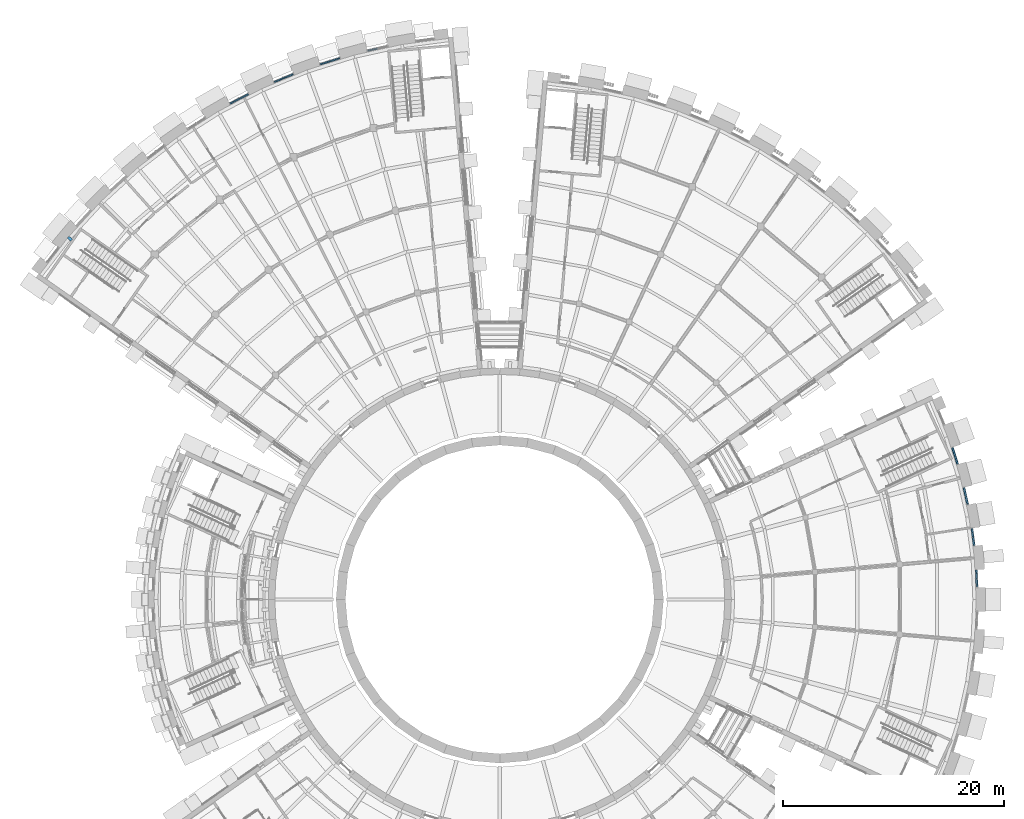
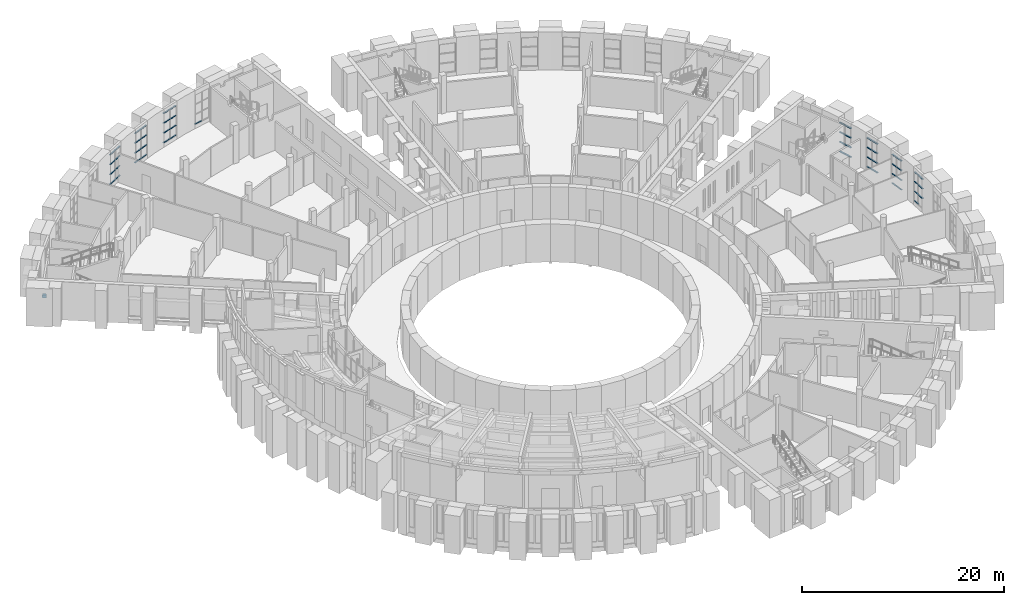
# One storey, part 27 of 66: 56 members, 1 beam, 8 elements without a shape of their own.
"""IFC4 building model written with IfcOpenShell, lengths in metres."""

from ifc_helpers import new_model, si_unit, direction, frame, origin, origin_2d, place, context, subcontext, project, spatial, rectangle, extrude, material, layer, layer_set, material_profile, profile_set, type_object, element, aggregate, save


model = new_model("IFC4")

# Units and contexts
model_context = context("Model", 3, precision=1e-05, world=origin(), true_north=direction((0.0, 1.0)))
body_context = subcontext(model_context, "Body", "Model", "MODEL_VIEW")
ifc_project = project(units=[si_unit("LENGTHUNIT", "METRE"), si_unit("AREAUNIT", "SQUARE_METRE"), si_unit("VOLUMEUNIT", "CUBIC_METRE"), si_unit("PLANEANGLEUNIT", "RADIAN"), si_unit("MASSUNIT", "GRAM", prefix="KILO")], contexts=[model_context])

# Site, building, storey
site_placement = place(None, origin())
site = spatial("IfcSite", under=ifc_project, at=site_placement, CompositionType="ELEMENT")
building_placement = place(site_placement, origin())
building = spatial("IfcBuilding", under=site, at=building_placement, Name="Volute Hill Aquarium", CompositionType="ELEMENT")
storey_placement = place(building_placement, frame((0.0, 0.0, 4.60009765625)))
storey = spatial("IfcBuildingStorey", under=building, at=storey_placement, Name="L02", CompositionType="ELEMENT", Elevation=4.60009765625)

# Curtain wall, members
ifc_material_1 = material(Name="Aluminium", Category="aluminium")
ifc_layer_1 = layer(ifc_material_1, 0.25)
ifc_layer_set_1 = layer_set([ifc_layer_1], Name="Curtain wall niche S4 module 819")
curtain_wall_type_1 = type_object("IfcCurtainWallType", Name="Curtain wall niche S4 module 819", PredefinedType="NOTDEFINED", material=ifc_layer_set_1)
curtain_wall_1_placement = place(storey_placement, origin())
curtain_wall_1 = element("IfcCurtainWall", 1, at=curtain_wall_1_placement, inside=storey, type_object=curtain_wall_type_1, Name="Curtain wall CW S4 L02 6", PredefinedType="NOTDEFINED")
ifc_material_2 = material(Name="Aluminium", Category="aluminium")
ifc_material_profile_1 = material_profile(ifc_material_2, rectangle(XDim=0.14990234375, YDim=0.06005859375, at=origin_2d()), Name="Curtain wall transom S4 60x150")
ifc_profile_set_1 = profile_set([ifc_material_profile_1], Name="Aluminium")
member_type_1 = type_object("IfcMemberType", Name="Curtain wall transom S4 60x150", PredefinedType="USERDEFINED", material=ifc_profile_set_1)
member_1_placement = place(storey_placement, frame((43.275390625, 1.130126953125, 1.63330078125), z_axis=(-0.04355353531, 0.99905109457, 0.0), x_axis=(-0.99905109457, -0.04355353531, 0.0)))
member_1 = element("IfcMember", 2, at=member_1_placement, type_object=member_type_1, Name="CW transom 1.2", ObjectType="TRANSOM", PredefinedType="USERDEFINED", context=body_context, shape_type="SweptSolid", body=[
    extrude(rectangle(XDim=0.14990234375, YDim=0.06005859375, at=origin_2d()), origin(), (0.0, 0.0, 1.0), 0.728759765625),
])
member_2_placement = place(storey_placement, frame((43.275390625, 1.130126953125, 2.816650390625), z_axis=(-0.04355353531, 0.99905109457, 0.0), x_axis=(-0.99905109457, -0.04355353531, 0.0)))
member_2 = element("IfcMember", 3, at=member_2_placement, type_object=member_type_1, Name="CW transom 1.3", ObjectType="TRANSOM", PredefinedType="USERDEFINED", context=body_context, shape_type="SweptSolid", body=[
    extrude(rectangle(XDim=0.14990234375, YDim=0.06005859375, at=origin_2d()), origin(), (0.0, 0.0, 1.0), 0.728759765625),
])
member_3_placement = place(storey_placement, frame((43.275390625, 1.130126953125, 3.969970703125), z_axis=(-0.04355353531, 0.99905109457, 0.0), x_axis=(-0.99905109457, -0.04355353531, 0.0)))
member_3 = element("IfcMember", 4, at=member_3_placement, type_object=member_type_1, Name="CW transom 1.4", ObjectType="TRANSOM", PredefinedType="USERDEFINED", context=body_context, shape_type="SweptSolid", body=[
    extrude(rectangle(XDim=0.14990234375, YDim=0.06005859375, at=origin_2d()), origin(), (0.0, 0.0, 1.0), 0.728759765625),
])
member_4_placement = place(storey_placement, frame((43.240966796875, 1.91796875, 0.47998046875), z_axis=(-0.04355353531, 0.99905109457, 0.0), x_axis=(-0.99905109457, -0.04355353531, 0.0)))
member_4 = element("IfcMember", 5, at=member_4_placement, type_object=member_type_1, Name="CW transom 2.1", ObjectType="TRANSOM", PredefinedType="USERDEFINED", context=body_context, shape_type="SweptSolid", body=[
    extrude(rectangle(XDim=0.14990234375, YDim=0.06005859375, at=origin_2d()), origin(), (0.0, 0.0, 1.0), 0.728759765625),
])
member_5_placement = place(storey_placement, frame((43.240966796875, 1.91796875, 1.63330078125), z_axis=(-0.04355353531, 0.99905109457, 0.0), x_axis=(-0.99905109457, -0.04355353531, 0.0)))
member_5 = element("IfcMember", 6, at=member_5_placement, type_object=member_type_1, Name="CW transom 2.2", ObjectType="TRANSOM", PredefinedType="USERDEFINED", context=body_context, shape_type="SweptSolid", body=[
    extrude(rectangle(XDim=0.14990234375, YDim=0.06005859375, at=origin_2d()), origin(), (0.0, 0.0, 1.0), 0.728759765625),
])
member_6_placement = place(storey_placement, frame((43.240966796875, 1.91796875, 2.816650390625), z_axis=(-0.04355353531, 0.99905109457, 0.0), x_axis=(-0.99905109457, -0.04355353531, 0.0)))
member_6 = element("IfcMember", 7, at=member_6_placement, type_object=member_type_1, Name="CW transom 2.3", ObjectType="TRANSOM", PredefinedType="USERDEFINED", context=body_context, shape_type="SweptSolid", body=[
    extrude(rectangle(XDim=0.14990234375, YDim=0.06005859375, at=origin_2d()), origin(), (0.0, 0.0, 1.0), 0.728759765625),
])
member_7_placement = place(storey_placement, frame((43.240966796875, 1.91796875, 3.969970703125), z_axis=(-0.04355353531, 0.99905109457, 0.0), x_axis=(-0.99905109457, -0.04355353531, 0.0)))
member_7 = element("IfcMember", 8, at=member_7_placement, type_object=member_type_1, Name="CW transom 2.4", ObjectType="TRANSOM", PredefinedType="USERDEFINED", context=body_context, shape_type="SweptSolid", body=[
    extrude(rectangle(XDim=0.14990234375, YDim=0.06005859375, at=origin_2d()), origin(), (0.0, 0.0, 1.0), 0.728759765625),
])
aggregate(curtain_wall_1, [member_1, member_2, member_3, member_4, member_5, member_6, member_7])

curtain_wall_2_placement = place(storey_placement, origin())
curtain_wall_2 = element("IfcCurtainWall", 9, at=curtain_wall_2_placement, inside=storey, type_object=curtain_wall_type_1, Name="Curtain wall CW S4 L02 7", PredefinedType="NOTDEFINED")
member_8_placement = place(storey_placement, frame((43.01220703125, 4.8974609375, 0.47998046875), z_axis=(-0.130671188566, 0.991425761456, 0.0), x_axis=(-0.991425761456, -0.130671188566, 0.0)))
member_8 = element("IfcMember", 10, at=member_8_placement, type_object=member_type_1, Name="CW transom 1.1", ObjectType="TRANSOM", PredefinedType="USERDEFINED", context=body_context, shape_type="SweptSolid", body=[
    extrude(rectangle(XDim=0.14990234375, YDim=0.06005859375, at=origin_2d()), origin(), (0.0, 0.0, 1.0), 0.728759765625),
])
member_9_placement = place(storey_placement, frame((43.01220703125, 4.8974609375, 1.63330078125), z_axis=(-0.130671188566, 0.991425761456, 0.0), x_axis=(-0.991425761456, -0.130671188566, 0.0)))
member_9 = element("IfcMember", 11, at=member_9_placement, type_object=member_type_1, Name="CW transom 1.2", ObjectType="TRANSOM", PredefinedType="USERDEFINED", context=body_context, shape_type="SweptSolid", body=[
    extrude(rectangle(XDim=0.14990234375, YDim=0.06005859375, at=origin_2d()), origin(), (0.0, 0.0, 1.0), 0.728759765625),
])
member_10_placement = place(storey_placement, frame((43.01220703125, 4.8974609375, 2.816650390625), z_axis=(-0.130671188566, 0.991425761456, 0.0), x_axis=(-0.991425761456, -0.130671188566, 0.0)))
member_10 = element("IfcMember", 12, at=member_10_placement, type_object=member_type_1, Name="CW transom 1.3", ObjectType="TRANSOM", PredefinedType="USERDEFINED", context=body_context, shape_type="SweptSolid", body=[
    extrude(rectangle(XDim=0.14990234375, YDim=0.06005859375, at=origin_2d()), origin(), (0.0, 0.0, 1.0), 0.728759765625),
])
member_11_placement = place(storey_placement, frame((43.01220703125, 4.8974609375, 3.969970703125), z_axis=(-0.130671188566, 0.991425761456, 0.0), x_axis=(-0.991425761456, -0.130671188566, 0.0)))
member_11 = element("IfcMember", 13, at=member_11_placement, type_object=member_type_1, Name="CW transom 1.4", ObjectType="TRANSOM", PredefinedType="USERDEFINED", context=body_context, shape_type="SweptSolid", body=[
    extrude(rectangle(XDim=0.14990234375, YDim=0.06005859375, at=origin_2d()), origin(), (0.0, 0.0, 1.0), 0.728759765625),
])
member_12_placement = place(storey_placement, frame((42.9091796875, 5.679443359375, 0.47998046875), z_axis=(-0.130341833664, 0.991469115201, 0.0), x_axis=(-0.991469115201, -0.130341833664, 0.0)))
member_12 = element("IfcMember", 14, at=member_12_placement, type_object=member_type_1, Name="CW transom 2.1", ObjectType="TRANSOM", PredefinedType="USERDEFINED", context=body_context, shape_type="SweptSolid", body=[
    extrude(rectangle(XDim=0.14990234375, YDim=0.06005859375, at=origin_2d()), origin(), (0.0, 0.0, 1.0), 0.728515625),
])
member_13_placement = place(storey_placement, frame((42.9091796875, 5.679443359375, 1.63330078125), z_axis=(-0.130341833664, 0.991469115201, 0.0), x_axis=(-0.991469115201, -0.130341833664, 0.0)))
member_13 = element("IfcMember", 15, at=member_13_placement, type_object=member_type_1, Name="CW transom 2.2", ObjectType="TRANSOM", PredefinedType="USERDEFINED", context=body_context, shape_type="SweptSolid", body=[
    extrude(rectangle(XDim=0.14990234375, YDim=0.06005859375, at=origin_2d()), origin(), (0.0, 0.0, 1.0), 0.728515625),
])
member_14_placement = place(storey_placement, frame((42.9091796875, 5.679443359375, 2.816650390625), z_axis=(-0.130341833664, 0.991469115201, 0.0), x_axis=(-0.991469115201, -0.130341833664, 0.0)))
member_14 = element("IfcMember", 16, at=member_14_placement, type_object=member_type_1, Name="CW transom 2.3", ObjectType="TRANSOM", PredefinedType="USERDEFINED", context=body_context, shape_type="SweptSolid", body=[
    extrude(rectangle(XDim=0.14990234375, YDim=0.06005859375, at=origin_2d()), origin(), (0.0, 0.0, 1.0), 0.728515625),
])
member_15_placement = place(storey_placement, frame((42.9091796875, 5.679443359375, 3.969970703125), z_axis=(-0.130341833664, 0.991469115201, 0.0), x_axis=(-0.991469115201, -0.130341833664, 0.0)))
member_15 = element("IfcMember", 17, at=member_15_placement, type_object=member_type_1, Name="CW transom 2.4", ObjectType="TRANSOM", PredefinedType="USERDEFINED", context=body_context, shape_type="SweptSolid", body=[
    extrude(rectangle(XDim=0.14990234375, YDim=0.06005859375, at=origin_2d()), origin(), (0.0, 0.0, 1.0), 0.728515625),
])
aggregate(curtain_wall_2, [member_8, member_9, member_10, member_11, member_12, member_13, member_14, member_15])

curtain_wall_3_placement = place(storey_placement, origin())
curtain_wall_3 = element("IfcCurtainWall", 18, at=curtain_wall_3_placement, inside=storey, type_object=curtain_wall_type_1, Name="Curtain wall CW S4 L02 8", PredefinedType="NOTDEFINED")
member_16_placement = place(storey_placement, frame((42.421630859375, 8.62744140625, 0.47998046875), z_axis=(-0.216433786926, 0.976297298919, 0.0), x_axis=(-0.976297298919, -0.216433786926, 0.0)))
member_16 = element("IfcMember", 19, at=member_16_placement, type_object=member_type_1, Name="CW transom 1.1", ObjectType="TRANSOM", PredefinedType="USERDEFINED", context=body_context, shape_type="SweptSolid", body=[
    extrude(rectangle(XDim=0.14990234375, YDim=0.06005859375, at=origin_2d()), origin(), (0.0, 0.0, 1.0), 0.728759765625),
])
member_17_placement = place(storey_placement, frame((42.421630859375, 8.62744140625, 1.63330078125), z_axis=(-0.216433786926, 0.976297298919, 0.0), x_axis=(-0.976297298919, -0.216433786926, 0.0)))
member_17 = element("IfcMember", 20, at=member_17_placement, type_object=member_type_1, Name="CW transom 1.2", ObjectType="TRANSOM", PredefinedType="USERDEFINED", context=body_context, shape_type="SweptSolid", body=[
    extrude(rectangle(XDim=0.14990234375, YDim=0.06005859375, at=origin_2d()), origin(), (0.0, 0.0, 1.0), 0.728759765625),
])
member_18_placement = place(storey_placement, frame((42.421630859375, 8.62744140625, 2.816650390625), z_axis=(-0.216433786926, 0.976297298919, 0.0), x_axis=(-0.976297298919, -0.216433786926, 0.0)))
member_18 = element("IfcMember", 21, at=member_18_placement, type_object=member_type_1, Name="CW transom 1.3", ObjectType="TRANSOM", PredefinedType="USERDEFINED", context=body_context, shape_type="SweptSolid", body=[
    extrude(rectangle(XDim=0.14990234375, YDim=0.06005859375, at=origin_2d()), origin(), (0.0, 0.0, 1.0), 0.728759765625),
])
member_19_placement = place(storey_placement, frame((42.421630859375, 8.62744140625, 3.969970703125), z_axis=(-0.216433786926, 0.976297298919, 0.0), x_axis=(-0.976297298919, -0.216433786926, 0.0)))
member_19 = element("IfcMember", 22, at=member_19_placement, type_object=member_type_1, Name="CW transom 1.4", ObjectType="TRANSOM", PredefinedType="USERDEFINED", context=body_context, shape_type="SweptSolid", body=[
    extrude(rectangle(XDim=0.14990234375, YDim=0.06005859375, at=origin_2d()), origin(), (0.0, 0.0, 1.0), 0.728759765625),
])
member_20_placement = place(storey_placement, frame((42.2509765625, 9.3974609375, 0.47998046875), z_axis=(-0.216433786926, 0.976297298919, 0.0), x_axis=(-0.976297298919, -0.216433786926, 0.0)))
member_20 = element("IfcMember", 23, at=member_20_placement, type_object=member_type_1, Name="CW transom 2.1", ObjectType="TRANSOM", PredefinedType="USERDEFINED", context=body_context, shape_type="SweptSolid", body=[
    extrude(rectangle(XDim=0.14990234375, YDim=0.06005859375, at=origin_2d()), origin(), (0.0, 0.0, 1.0), 0.728759765625),
])
member_21_placement = place(storey_placement, frame((42.2509765625, 9.3974609375, 1.63330078125), z_axis=(-0.216433786926, 0.976297298919, 0.0), x_axis=(-0.976297298919, -0.216433786926, 0.0)))
member_21 = element("IfcMember", 24, at=member_21_placement, type_object=member_type_1, Name="CW transom 2.2", ObjectType="TRANSOM", PredefinedType="USERDEFINED", context=body_context, shape_type="SweptSolid", body=[
    extrude(rectangle(XDim=0.14990234375, YDim=0.06005859375, at=origin_2d()), origin(), (0.0, 0.0, 1.0), 0.728759765625),
])
member_22_placement = place(storey_placement, frame((42.2509765625, 9.3974609375, 2.816650390625), z_axis=(-0.216433786926, 0.976297298919, 0.0), x_axis=(-0.976297298919, -0.216433786926, 0.0)))
member_22 = element("IfcMember", 25, at=member_22_placement, type_object=member_type_1, Name="CW transom 2.3", ObjectType="TRANSOM", PredefinedType="USERDEFINED", context=body_context, shape_type="SweptSolid", body=[
    extrude(rectangle(XDim=0.14990234375, YDim=0.06005859375, at=origin_2d()), origin(), (0.0, 0.0, 1.0), 0.728759765625),
])
member_23_placement = place(storey_placement, frame((42.2509765625, 9.3974609375, 3.969970703125), z_axis=(-0.216433786926, 0.976297298919, 0.0), x_axis=(-0.976297298919, -0.216433786926, 0.0)))
member_23 = element("IfcMember", 26, at=member_23_placement, type_object=member_type_1, Name="CW transom 2.4", ObjectType="TRANSOM", PredefinedType="USERDEFINED", context=body_context, shape_type="SweptSolid", body=[
    extrude(rectangle(XDim=0.14990234375, YDim=0.06005859375, at=origin_2d()), origin(), (0.0, 0.0, 1.0), 0.728759765625),
])
aggregate(curtain_wall_3, [member_16, member_17, member_18, member_19, member_20, member_21, member_22, member_23])

curtain_wall_4_placement = place(storey_placement, origin())
curtain_wall_4 = element("IfcCurtainWall", 27, at=curtain_wall_4_placement, inside=storey, type_object=curtain_wall_type_1, Name="Curtain wall CW S4 L02 9", PredefinedType="NOTDEFINED")
member_24_placement = place(storey_placement, frame((41.50830078125, 12.2919921875, 0.47998046875), z_axis=(-0.300506003221, 0.953779923267, 0.0), x_axis=(-0.953779923267, -0.300506003221, 0.0)))
member_24 = element("IfcMember", 28, at=member_24_placement, type_object=member_type_1, Name="CW transom 1.1", ObjectType="TRANSOM", PredefinedType="USERDEFINED", context=body_context, shape_type="SweptSolid", body=[
    extrude(rectangle(XDim=0.14990234375, YDim=0.06005859375, at=origin_2d()), origin(), (0.0, 0.0, 1.0), 0.728759765625),
])
member_25_placement = place(storey_placement, frame((41.50830078125, 12.2919921875, 1.63330078125), z_axis=(-0.300506003221, 0.953779923267, 0.0), x_axis=(-0.953779923267, -0.300506003221, 0.0)))
member_25 = element("IfcMember", 29, at=member_25_placement, type_object=member_type_1, Name="CW transom 1.2", ObjectType="TRANSOM", PredefinedType="USERDEFINED", context=body_context, shape_type="SweptSolid", body=[
    extrude(rectangle(XDim=0.14990234375, YDim=0.06005859375, at=origin_2d()), origin(), (0.0, 0.0, 1.0), 0.728759765625),
])
member_26_placement = place(storey_placement, frame((41.50830078125, 12.2919921875, 2.816650390625), z_axis=(-0.300506003221, 0.953779923267, 0.0), x_axis=(-0.953779923267, -0.300506003221, 0.0)))
member_26 = element("IfcMember", 30, at=member_26_placement, type_object=member_type_1, Name="CW transom 1.3", ObjectType="TRANSOM", PredefinedType="USERDEFINED", context=body_context, shape_type="SweptSolid", body=[
    extrude(rectangle(XDim=0.14990234375, YDim=0.06005859375, at=origin_2d()), origin(), (0.0, 0.0, 1.0), 0.728759765625),
])
member_27_placement = place(storey_placement, frame((41.50830078125, 12.2919921875, 3.969970703125), z_axis=(-0.300506003221, 0.953779923267, 0.0), x_axis=(-0.953779923267, -0.300506003221, 0.0)))
member_27 = element("IfcMember", 31, at=member_27_placement, type_object=member_type_1, Name="CW transom 1.4", ObjectType="TRANSOM", PredefinedType="USERDEFINED", context=body_context, shape_type="SweptSolid", body=[
    extrude(rectangle(XDim=0.14990234375, YDim=0.06005859375, at=origin_2d()), origin(), (0.0, 0.0, 1.0), 0.728759765625),
])
member_28_placement = place(storey_placement, frame((41.271240234375, 13.044189453125, 0.47998046875), z_axis=(-0.300810716557, 0.953683864184, 0.0), x_axis=(-0.953683864184, -0.300810716557, 0.0)))
member_28 = element("IfcMember", 32, at=member_28_placement, type_object=member_type_1, Name="CW transom 2.1", ObjectType="TRANSOM", PredefinedType="USERDEFINED", context=body_context, shape_type="SweptSolid", body=[
    extrude(rectangle(XDim=0.14990234375, YDim=0.06005859375, at=origin_2d()), origin(), (0.0, 0.0, 1.0), 0.728759765625),
])
member_29_placement = place(storey_placement, frame((41.271240234375, 13.044189453125, 1.63330078125), z_axis=(-0.300810716557, 0.953683864184, 0.0), x_axis=(-0.953683864184, -0.300810716557, 0.0)))
member_29 = element("IfcMember", 33, at=member_29_placement, type_object=member_type_1, Name="CW transom 2.2", ObjectType="TRANSOM", PredefinedType="USERDEFINED", context=body_context, shape_type="SweptSolid", body=[
    extrude(rectangle(XDim=0.14990234375, YDim=0.06005859375, at=origin_2d()), origin(), (0.0, 0.0, 1.0), 0.728759765625),
])
member_30_placement = place(storey_placement, frame((41.271240234375, 13.044189453125, 2.816650390625), z_axis=(-0.300810716557, 0.953683864184, 0.0), x_axis=(-0.953683864184, -0.300810716557, 0.0)))
member_30 = element("IfcMember", 34, at=member_30_placement, type_object=member_type_1, Name="CW transom 2.3", ObjectType="TRANSOM", PredefinedType="USERDEFINED", context=body_context, shape_type="SweptSolid", body=[
    extrude(rectangle(XDim=0.14990234375, YDim=0.06005859375, at=origin_2d()), origin(), (0.0, 0.0, 1.0), 0.728759765625),
])
member_31_placement = place(storey_placement, frame((41.271240234375, 13.044189453125, 3.969970703125), z_axis=(-0.300810716557, 0.953683864184, 0.0), x_axis=(-0.953683864184, -0.300810716557, 0.0)))
member_31 = element("IfcMember", 35, at=member_31_placement, type_object=member_type_1, Name="CW transom 2.4", ObjectType="TRANSOM", PredefinedType="USERDEFINED", context=body_context, shape_type="SweptSolid", body=[
    extrude(rectangle(XDim=0.14990234375, YDim=0.06005859375, at=origin_2d()), origin(), (0.0, 0.0, 1.0), 0.728759765625),
])
aggregate(curtain_wall_4, [member_24, member_25, member_26, member_27, member_28, member_29, member_30, member_31])

# Curtain wall, member
ifc_material_3 = material(Name="Aluminium", Category="aluminium")
ifc_layer_2 = layer(ifc_material_3, 0.25)
ifc_layer_set_2 = layer_set([ifc_layer_2], Name="Curtain wall niche S6 module 967")
curtain_wall_type_2 = type_object("IfcCurtainWallType", Name="Curtain wall niche S6 module 967", PredefinedType="NOTDEFINED", material=ifc_layer_set_2)
curtain_wall_5_placement = place(storey_placement, origin())
curtain_wall_5 = element("IfcCurtainWall", 36, at=curtain_wall_5_placement, inside=storey, type_object=curtain_wall_type_2, Name="Curtain wall CW S6 L02 2", PredefinedType="NOTDEFINED")
ifc_material_4 = material(Name="Aluminium", Category="aluminium")
ifc_material_profile_2 = material_profile(ifc_material_4, rectangle(XDim=0.1201171875, YDim=0.050048828125, at=origin_2d()), Name="Curtain wall transom S6 50x120")
ifc_profile_set_2 = profile_set([ifc_material_profile_2], Name="Aluminium")
member_type_2 = type_object("IfcMemberType", Name="Curtain wall transom S6 50x120", PredefinedType="USERDEFINED", material=ifc_profile_set_2)
member_32_placement = place(storey_placement, frame((-11.10107421875, 49.95751953125, 0.474853515625), z_axis=(-0.976270729453, -0.216553602635, 0.0), x_axis=(0.216553602635, -0.976270729453, 0.0)))
member_32 = element("IfcMember", 37, at=member_32_placement, type_object=member_type_2, Name="CW transom 2.1", ObjectType="TRANSOM", PredefinedType="USERDEFINED", context=body_context, shape_type="SweptSolid", body=[
    extrude(rectangle(XDim=0.1201171875, YDim=0.050048828125, at=origin_2d()), origin(), (0.0, 0.0, 1.0), 0.891845703125),
])
aggregate(curtain_wall_5, [member_32])

# Curtain wall, members
curtain_wall_6_placement = place(storey_placement, origin())
curtain_wall_6 = element("IfcCurtainWall", 38, at=curtain_wall_6_placement, inside=storey, type_object=curtain_wall_type_2, Name="Curtain wall CW S6 L02 3", PredefinedType="NOTDEFINED")
member_33_placement = place(storey_placement, frame((-14.514404296875, 49.0830078125, 0.474853515625), z_axis=(-0.953756274166, -0.30058105311, 0.0), x_axis=(0.30058105311, -0.953756274166, 0.0)))
member_33 = element("IfcMember", 39, at=member_33_placement, type_object=member_type_2, Name="CW transom 1.1", ObjectType="TRANSOM", PredefinedType="USERDEFINED", context=body_context, shape_type="SweptSolid", body=[
    extrude(rectangle(XDim=0.1201171875, YDim=0.050048828125, at=origin_2d()), origin(), (0.0, 0.0, 1.0), 0.891845703125),
])
member_34_placement = place(storey_placement, frame((-14.514404296875, 49.0830078125, 1.64990234375), z_axis=(-0.953756274166, -0.30058105311, 0.0), x_axis=(0.30058105311, -0.953756274166, 0.0)))
member_34 = element("IfcMember", 40, at=member_34_placement, type_object=member_type_2, Name="CW transom 1.2", ObjectType="TRANSOM", PredefinedType="USERDEFINED", context=body_context, shape_type="SweptSolid", body=[
    extrude(rectangle(XDim=0.1201171875, YDim=0.050048828125, at=origin_2d()), origin(), (0.0, 0.0, 1.0), 0.891845703125),
])
member_35_placement = place(storey_placement, frame((-14.514404296875, 49.0830078125, 2.849853515625), z_axis=(-0.953756274166, -0.30058105311, 0.0), x_axis=(0.30058105311, -0.953756274166, 0.0)))
member_35 = element("IfcMember", 41, at=member_35_placement, type_object=member_type_2, Name="CW transom 1.3", ObjectType="TRANSOM", PredefinedType="USERDEFINED", context=body_context, shape_type="SweptSolid", body=[
    extrude(rectangle(XDim=0.1201171875, YDim=0.050048828125, at=origin_2d()), origin(), (0.0, 0.0, 1.0), 0.891845703125),
])
member_36_placement = place(storey_placement, frame((-14.514404296875, 49.0830078125, 4.02490234375), z_axis=(-0.953756274166, -0.30058105311, 0.0), x_axis=(0.30058105311, -0.953756274166, 0.0)))
member_36 = element("IfcMember", 42, at=member_36_placement, type_object=member_type_2, Name="CW transom 1.4", ObjectType="TRANSOM", PredefinedType="USERDEFINED", context=body_context, shape_type="SweptSolid", body=[
    extrude(rectangle(XDim=0.1201171875, YDim=0.050048828125, at=origin_2d()), origin(), (0.0, 0.0, 1.0), 0.891845703125),
])
member_37_placement = place(storey_placement, frame((-15.412841796875, 48.7998046875, 0.474853515625), z_axis=(-0.953756274166, -0.30058105311, 0.0), x_axis=(0.30058105311, -0.953756274166, 0.0)))
member_37 = element("IfcMember", 43, at=member_37_placement, type_object=member_type_2, Name="CW transom 2.1", ObjectType="TRANSOM", PredefinedType="USERDEFINED", context=body_context, shape_type="SweptSolid", body=[
    extrude(rectangle(XDim=0.1201171875, YDim=0.050048828125, at=origin_2d()), origin(), (0.0, 0.0, 1.0), 0.891845703125),
])
member_38_placement = place(storey_placement, frame((-15.412841796875, 48.7998046875, 1.64990234375), z_axis=(-0.953756274166, -0.30058105311, 0.0), x_axis=(0.30058105311, -0.953756274166, 0.0)))
member_38 = element("IfcMember", 44, at=member_38_placement, type_object=member_type_2, Name="CW transom 2.2", ObjectType="TRANSOM", PredefinedType="USERDEFINED", context=body_context, shape_type="SweptSolid", body=[
    extrude(rectangle(XDim=0.1201171875, YDim=0.050048828125, at=origin_2d()), origin(), (0.0, 0.0, 1.0), 0.891845703125),
])
member_39_placement = place(storey_placement, frame((-15.412841796875, 48.7998046875, 2.849853515625), z_axis=(-0.953756274166, -0.30058105311, 0.0), x_axis=(0.30058105311, -0.953756274166, 0.0)))
member_39 = element("IfcMember", 45, at=member_39_placement, type_object=member_type_2, Name="CW transom 2.3", ObjectType="TRANSOM", PredefinedType="USERDEFINED", context=body_context, shape_type="SweptSolid", body=[
    extrude(rectangle(XDim=0.1201171875, YDim=0.050048828125, at=origin_2d()), origin(), (0.0, 0.0, 1.0), 0.891845703125),
])
member_40_placement = place(storey_placement, frame((-15.412841796875, 48.7998046875, 4.02490234375), z_axis=(-0.953756274166, -0.30058105311, 0.0), x_axis=(0.30058105311, -0.953756274166, 0.0)))
member_40 = element("IfcMember", 46, at=member_40_placement, type_object=member_type_2, Name="CW transom 2.4", ObjectType="TRANSOM", PredefinedType="USERDEFINED", context=body_context, shape_type="SweptSolid", body=[
    extrude(rectangle(XDim=0.1201171875, YDim=0.050048828125, at=origin_2d()), origin(), (0.0, 0.0, 1.0), 0.891845703125),
])
aggregate(curtain_wall_6, [member_33, member_34, member_35, member_36, member_37, member_38, member_39, member_40])

curtain_wall_7_placement = place(storey_placement, origin())
curtain_wall_7 = element("IfcCurtainWall", 47, at=curtain_wall_7_placement, inside=storey, type_object=curtain_wall_type_2, Name="Curtain wall CW S6 L02 4", PredefinedType="NOTDEFINED")
member_41_placement = place(storey_placement, frame((-18.737060546875, 47.63134765625, 0.474853515625), z_axis=(-0.923876703835, -0.382690261322, 0.0), x_axis=(0.382690261322, -0.923876703835, 0.0)))
member_41 = element("IfcMember", 48, at=member_41_placement, type_object=member_type_2, Name="CW transom 1.1", ObjectType="TRANSOM", PredefinedType="USERDEFINED", context=body_context, shape_type="SweptSolid", body=[
    extrude(rectangle(XDim=0.1201171875, YDim=0.050048828125, at=origin_2d()), origin(), (0.0, 0.0, 1.0), 0.891845703125),
])
member_42_placement = place(storey_placement, frame((-18.737060546875, 47.63134765625, 1.64990234375), z_axis=(-0.923876703835, -0.382690261322, 0.0), x_axis=(0.382690261322, -0.923876703835, 0.0)))
member_42 = element("IfcMember", 49, at=member_42_placement, type_object=member_type_2, Name="CW transom 1.2", ObjectType="TRANSOM", PredefinedType="USERDEFINED", context=body_context, shape_type="SweptSolid", body=[
    extrude(rectangle(XDim=0.1201171875, YDim=0.050048828125, at=origin_2d()), origin(), (0.0, 0.0, 1.0), 0.891845703125),
])
member_43_placement = place(storey_placement, frame((-18.737060546875, 47.63134765625, 2.849853515625), z_axis=(-0.923876703835, -0.382690261322, 0.0), x_axis=(0.382690261322, -0.923876703835, 0.0)))
member_43 = element("IfcMember", 50, at=member_43_placement, type_object=member_type_2, Name="CW transom 1.3", ObjectType="TRANSOM", PredefinedType="USERDEFINED", context=body_context, shape_type="SweptSolid", body=[
    extrude(rectangle(XDim=0.1201171875, YDim=0.050048828125, at=origin_2d()), origin(), (0.0, 0.0, 1.0), 0.891845703125),
])
member_44_placement = place(storey_placement, frame((-18.737060546875, 47.63134765625, 4.02490234375), z_axis=(-0.923876703835, -0.382690261322, 0.0), x_axis=(0.382690261322, -0.923876703835, 0.0)))
member_44 = element("IfcMember", 51, at=member_44_placement, type_object=member_type_2, Name="CW transom 1.4", ObjectType="TRANSOM", PredefinedType="USERDEFINED", context=body_context, shape_type="SweptSolid", body=[
    extrude(rectangle(XDim=0.1201171875, YDim=0.050048828125, at=origin_2d()), origin(), (0.0, 0.0, 1.0), 0.891845703125),
])
member_45_placement = place(storey_placement, frame((-19.607177734375, 47.270751953125, 0.474853515625), z_axis=(-0.92391677854, -0.382593500118, 0.0), x_axis=(0.382593500118, -0.92391677854, 0.0)))
member_45 = element("IfcMember", 52, at=member_45_placement, type_object=member_type_2, Name="CW transom 2.1", ObjectType="TRANSOM", PredefinedType="USERDEFINED", context=body_context, shape_type="SweptSolid", body=[
    extrude(rectangle(XDim=0.1201171875, YDim=0.050048828125, at=origin_2d()), origin(), (0.0, 0.0, 1.0), 0.89208984375),
])
member_46_placement = place(storey_placement, frame((-19.607177734375, 47.270751953125, 1.64990234375), z_axis=(-0.92391677854, -0.382593500118, 0.0), x_axis=(0.382593500118, -0.92391677854, 0.0)))
member_46 = element("IfcMember", 53, at=member_46_placement, type_object=member_type_2, Name="CW transom 2.2", ObjectType="TRANSOM", PredefinedType="USERDEFINED", context=body_context, shape_type="SweptSolid", body=[
    extrude(rectangle(XDim=0.1201171875, YDim=0.050048828125, at=origin_2d()), origin(), (0.0, 0.0, 1.0), 0.89208984375),
])
member_47_placement = place(storey_placement, frame((-19.607177734375, 47.270751953125, 2.849853515625), z_axis=(-0.92391677854, -0.382593500118, 0.0), x_axis=(0.382593500118, -0.92391677854, 0.0)))
member_47 = element("IfcMember", 54, at=member_47_placement, type_object=member_type_2, Name="CW transom 2.3", ObjectType="TRANSOM", PredefinedType="USERDEFINED", context=body_context, shape_type="SweptSolid", body=[
    extrude(rectangle(XDim=0.1201171875, YDim=0.050048828125, at=origin_2d()), origin(), (0.0, 0.0, 1.0), 0.89208984375),
])
member_48_placement = place(storey_placement, frame((-19.607177734375, 47.270751953125, 4.02490234375), z_axis=(-0.92391677854, -0.382593500118, 0.0), x_axis=(0.382593500118, -0.92391677854, 0.0)))
member_48 = element("IfcMember", 55, at=member_48_placement, type_object=member_type_2, Name="CW transom 2.4", ObjectType="TRANSOM", PredefinedType="USERDEFINED", context=body_context, shape_type="SweptSolid", body=[
    extrude(rectangle(XDim=0.1201171875, YDim=0.050048828125, at=origin_2d()), origin(), (0.0, 0.0, 1.0), 0.89208984375),
])
aggregate(curtain_wall_7, [member_41, member_42, member_43, member_44, member_45, member_46, member_47, member_48])

curtain_wall_8_placement = place(storey_placement, origin())
curtain_wall_8 = element("IfcCurtainWall", 56, at=curtain_wall_8_placement, inside=storey, type_object=curtain_wall_type_2, Name="Curtain wall CW S6 L02 5", PredefinedType="NOTDEFINED")
member_49_placement = place(storey_placement, frame((-22.817138671875, 45.81689453125, 0.474853515625), z_axis=(-0.887082281901, -0.461611335582, 0.0), x_axis=(0.461611335582, -0.887082281901, 0.0)))
member_49 = element("IfcMember", 57, at=member_49_placement, type_object=member_type_2, Name="CW transom 1.1", ObjectType="TRANSOM", PredefinedType="USERDEFINED", context=body_context, shape_type="SweptSolid", body=[
    extrude(rectangle(XDim=0.1201171875, YDim=0.050048828125, at=origin_2d()), origin(), (0.0, 0.0, 1.0), 0.8916015625),
])
member_50_placement = place(storey_placement, frame((-22.817138671875, 45.81689453125, 1.64990234375), z_axis=(-0.887082281901, -0.461611335582, 0.0), x_axis=(0.461611335582, -0.887082281901, 0.0)))
member_50 = element("IfcMember", 58, at=member_50_placement, type_object=member_type_2, Name="CW transom 1.2", ObjectType="TRANSOM", PredefinedType="USERDEFINED", context=body_context, shape_type="SweptSolid", body=[
    extrude(rectangle(XDim=0.1201171875, YDim=0.050048828125, at=origin_2d()), origin(), (0.0, 0.0, 1.0), 0.8916015625),
])
member_51_placement = place(storey_placement, frame((-22.817138671875, 45.81689453125, 2.849853515625), z_axis=(-0.887082281901, -0.461611335582, 0.0), x_axis=(0.461611335582, -0.887082281901, 0.0)))
member_51 = element("IfcMember", 59, at=member_51_placement, type_object=member_type_2, Name="CW transom 1.3", ObjectType="TRANSOM", PredefinedType="USERDEFINED", context=body_context, shape_type="SweptSolid", body=[
    extrude(rectangle(XDim=0.1201171875, YDim=0.050048828125, at=origin_2d()), origin(), (0.0, 0.0, 1.0), 0.8916015625),
])
member_52_placement = place(storey_placement, frame((-22.817138671875, 45.81689453125, 4.02490234375), z_axis=(-0.887082281901, -0.461611335582, 0.0), x_axis=(0.461611335582, -0.887082281901, 0.0)))
member_52 = element("IfcMember", 60, at=member_52_placement, type_object=member_type_2, Name="CW transom 1.4", ObjectType="TRANSOM", PredefinedType="USERDEFINED", context=body_context, shape_type="SweptSolid", body=[
    extrude(rectangle(XDim=0.1201171875, YDim=0.050048828125, at=origin_2d()), origin(), (0.0, 0.0, 1.0), 0.8916015625),
])
member_53_placement = place(storey_placement, frame((-23.652587890625, 45.382080078125, 0.474853515625), z_axis=(-0.886970156065, -0.46182674484, 0.0), x_axis=(0.46182674484, -0.886970156065, 0.0)))
member_53 = element("IfcMember", 61, at=member_53_placement, type_object=member_type_2, Name="CW transom 2.1", ObjectType="TRANSOM", PredefinedType="USERDEFINED", context=body_context, shape_type="SweptSolid", body=[
    extrude(rectangle(XDim=0.1201171875, YDim=0.050048828125, at=origin_2d()), origin(), (0.0, 0.0, 1.0), 0.891845703125),
])
member_54_placement = place(storey_placement, frame((-23.652587890625, 45.382080078125, 1.64990234375), z_axis=(-0.886970156065, -0.46182674484, 0.0), x_axis=(0.46182674484, -0.886970156065, 0.0)))
member_54 = element("IfcMember", 62, at=member_54_placement, type_object=member_type_2, Name="CW transom 2.2", ObjectType="TRANSOM", PredefinedType="USERDEFINED", context=body_context, shape_type="SweptSolid", body=[
    extrude(rectangle(XDim=0.1201171875, YDim=0.050048828125, at=origin_2d()), origin(), (0.0, 0.0, 1.0), 0.891845703125),
])
member_55_placement = place(storey_placement, frame((-23.652587890625, 45.382080078125, 2.849853515625), z_axis=(-0.886970156065, -0.46182674484, 0.0), x_axis=(0.46182674484, -0.886970156065, 0.0)))
member_55 = element("IfcMember", 63, at=member_55_placement, type_object=member_type_2, Name="CW transom 2.3", ObjectType="TRANSOM", PredefinedType="USERDEFINED", context=body_context, shape_type="SweptSolid", body=[
    extrude(rectangle(XDim=0.1201171875, YDim=0.050048828125, at=origin_2d()), origin(), (0.0, 0.0, 1.0), 0.891845703125),
])
member_56_placement = place(storey_placement, frame((-23.652587890625, 45.382080078125, 4.02490234375), z_axis=(-0.886970156065, -0.46182674484, 0.0), x_axis=(0.46182674484, -0.886970156065, 0.0)))
member_56 = element("IfcMember", 64, at=member_56_placement, type_object=member_type_2, Name="CW transom 2.4", ObjectType="TRANSOM", PredefinedType="USERDEFINED", context=body_context, shape_type="SweptSolid", body=[
    extrude(rectangle(XDim=0.1201171875, YDim=0.050048828125, at=origin_2d()), origin(), (0.0, 0.0, 1.0), 0.891845703125),
])
aggregate(curtain_wall_8, [member_49, member_50, member_51, member_52, member_53, member_54, member_55, member_56])

# Beam
ifc_material_5 = material(Name="Concrete C35/45", Category="concrete")
ifc_material_profile_3 = material_profile(ifc_material_5, rectangle(XDim=0.25, YDim=0.35009765625, at=origin_2d()), Name="RC joist 250x350")
ifc_profile_set_3 = profile_set([ifc_material_profile_3], Name="Concrete C35/45")
beam_type = type_object("IfcBeamType", Name="Joist 250x350 C35/45", PredefinedType="BEAM", material=ifc_profile_set_3)
beam_placement = place(storey_placement, frame((-38.8330078125, 32.584716796875, -0.4951171875), z_axis=(-0.766153455411, 0.642657671519, 0.0), x_axis=(-0.642657671519, -0.766153455411, 0.0)))
element("IfcBeam", 65, at=beam_placement, inside=storey, type_object=beam_type, Name="bm/S6/L02/rjst10", PredefinedType="BEAM", context=body_context, shape_type="SweptSolid", body=[
    extrude(rectangle(XDim=0.25, YDim=0.35009765625, at=origin_2d()), origin(), (0.0, 0.0, 1.0), 0.4072265625),
])

save(model, "model.ifc")
